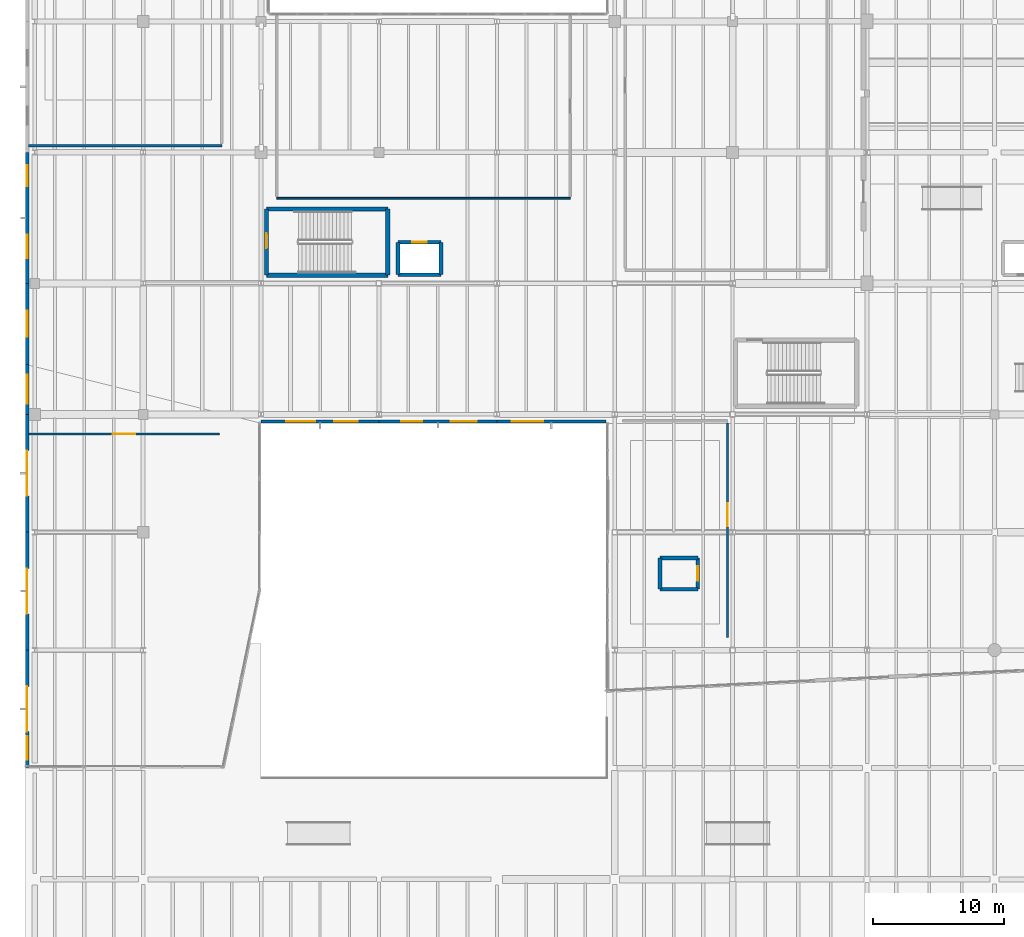
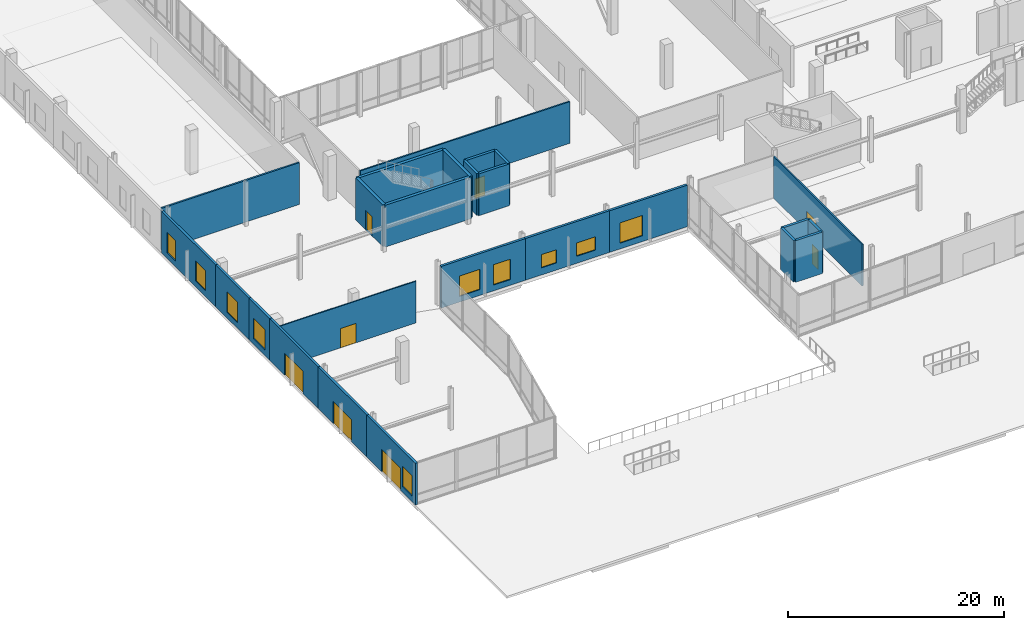
# One storey, part 67 of 88: 25 walls, 10 windows, 8 doors, 18 openings.
"""IFC4 building model written with IfcOpenShell, lengths in metres."""

from ifc_helpers import new_model, si_unit, direction, frame, frame_2d, origin, place, context, subcontext, project, spatial, rectangle, extrude, material, layer, layer_set, type_object, element, fill, save


model = new_model("IFC4")

# Units and contexts
model_context = context("Model", 3, precision=1e-05, world=origin(), true_north=direction((0.0, 1.0)))
body_context = subcontext(model_context, "Body", "Model", "MODEL_VIEW")
ifc_project = project(units=[si_unit("LENGTHUNIT", "METRE"), si_unit("AREAUNIT", "SQUARE_METRE"), si_unit("VOLUMEUNIT", "CUBIC_METRE"), si_unit("PLANEANGLEUNIT", "RADIAN"), si_unit("MASSUNIT", "GRAM", prefix="KILO")], contexts=[model_context])

# Site, building, storey
site_placement = place(None, origin())
site = spatial("IfcSite", under=ifc_project, at=site_placement, CompositionType="ELEMENT")
building_placement = place(site_placement, origin())
building = spatial("IfcBuilding", under=site, at=building_placement, Name="Trimount Lyric Opera House", CompositionType="ELEMENT")
storey_placement = place(building_placement, origin())
storey = spatial("IfcBuildingStorey", under=building, at=storey_placement, Name="L00", CompositionType="ELEMENT", Elevation=0.0)

# Wall, opening, door
ifc_material_1 = material(Name="Gypsum Board Partition")
ifc_layer_1 = layer(ifc_material_1, 0.1201171875)
ifc_layer_set_1 = layer_set([ifc_layer_1], Name="WL-PT120")
wall_type_1 = type_object("IfcWallType", Name="WL-PT120", PredefinedType="PARTITIONING", material=ifc_layer_set_1)
wall_1_placement = place(storey_placement, frame((14.800048828125, 42.5, 0.0), z_axis=(0.0, 0.0, 1.0), x_axis=(-1.0, 0.0, 0.0)))
wall_1 = element("IfcWall", 1, at=wall_1_placement, inside=storey, type_object=wall_type_1, Name="L00 Plaza Espresso & Bookshop N partition", PredefinedType="PARTITIONING", context=body_context, shape_type="SweptSolid", body=[
    extrude(rectangle(XDim=14.550048828125, YDim=0.1201171875, at=frame_2d((7.27490234375, 0.0))), origin(), (0.0, 0.0, 1.0), 4.719970703125),
])
opening_1_placement = place(wall_1_placement, frame((6.425048828125, 0.0, 0.0)))
opening_1 = element("IfcOpeningElement", 2, at=opening_1_placement, cuts=wall_1, Name="Opening DT-COR2", PredefinedType="OPENING", context=body_context, shape_type="SweptSolid", body=[
    extrude(rectangle(XDim=1.699951171875, YDim=2.199951171875, at=frame_2d((0.85009765625, 1.10009765625))), frame((0.0, 0.070068359375, 0.0), z_axis=(0.0, -1.0, 0.0), x_axis=(1.0, 0.0, 0.0)), (0.0, 0.0, 1.0), 0.14013671875),
])
ifc_material_2 = material(Name="Solid Core White Oak")
door_type_1 = type_object("IfcDoorType", Name="DT-COR2", OperationType="DOUBLE_DOOR_SINGLE_SWING", PredefinedType="DOOR", material=ifc_material_2)
door_1_placement = place(opening_1_placement, origin())
door_1 = element("IfcDoor", 3, at=door_1_placement, inside=storey, type_object=door_type_1, Name="D-180", OperationType="DOUBLE_DOOR_SINGLE_SWING", OverallHeight=2.199951171875, OverallWidth=1.699951171875, PredefinedType="DOOR", context=body_context, shape_type="SweptSolid", body=[
    extrude(rectangle(XDim=1.699951171875, YDim=2.199951171875, at=frame_2d((0.85009765625, 1.10009765625))), frame((0.0, 0.02490234375, 0.0), z_axis=(0.0, -1.0, 0.0), x_axis=(1.0, 0.0, 0.0)), (0.0, 0.0, 1.0), 0.050048828125),
])
fill(opening_1, door_1)

ifc_material_3 = material(Name="Fire-Rated Gypsum Board Partition")
ifc_layer_2 = layer(ifc_material_3, 0.14990234375)
ifc_layer_set_2 = layer_set([ifc_layer_2], Name="WL-PT150")
wall_type_2 = type_object("IfcWallType", Name="WL-PT150", PredefinedType="PARTITIONING", material=ifc_layer_set_2)
wall_2_placement = place(storey_placement, frame((53.60009765625, 26.949951171875, 0.0), z_axis=(0.0, 0.0, 1.0), x_axis=(0.0, 1.0, 0.0)))
wall_2 = element("IfcWall", 4, at=wall_2_placement, inside=storey, type_object=wall_type_2, Name="L00 Box Office & Ticketing Hall E partition", PredefinedType="PARTITIONING", context=body_context, shape_type="SweptSolid", body=[
    extrude(rectangle(XDim=16.400146484375, YDim=0.14990234375, at=frame_2d((8.2001953125, 0.0))), origin(), (0.0, 0.0, 1.0), 4.699951171875),
])
opening_2_placement = place(wall_2_placement, frame((8.52490234375, 0.0, 0.0)))
opening_2 = element("IfcOpeningElement", 5, at=opening_2_placement, cuts=wall_2, Name="Opening DT-COR1", PredefinedType="OPENING", context=body_context, shape_type="SweptSolid", body=[
    extrude(rectangle(XDim=1.75, YDim=2.199951171875, at=frame_2d((0.875, 1.10009765625))), frame((0.0, 0.0849609375, 0.0), z_axis=(0.0, -1.0, 0.0), x_axis=(1.0, 0.0, 0.0)), (0.0, 0.0, 1.0), 0.169921875),
])
ifc_material_4 = material(Name="Fire-Rated Timber Veneer", Category="wood")
door_type_2 = type_object("IfcDoorType", Name="DT-COR1", OperationType="DOUBLE_DOOR_SINGLE_SWING", PredefinedType="DOOR", material=ifc_material_4)
door_2_placement = place(opening_2_placement, origin())
door_2 = element("IfcDoor", 6, at=door_2_placement, inside=storey, type_object=door_type_2, Name="D-181", OperationType="DOUBLE_DOOR_SINGLE_SWING", OverallHeight=2.199951171875, OverallWidth=1.75, PredefinedType="DOOR", context=body_context, shape_type="SweptSolid", body=[
    extrude(rectangle(XDim=1.75, YDim=2.199951171875, at=frame_2d((0.875, 1.10009765625))), frame((0.0, 0.02490234375, 0.0), z_axis=(0.0, -1.0, 0.0), x_axis=(1.0, 0.0, 0.0)), (0.0, 0.0, 1.0), 0.050048828125),
])
fill(opening_2, door_2)

# Walls
wall_3_placement = place(storey_placement, frame((19.199951171875, 60.5, 0.0), z_axis=(0.0, 0.0, 1.0), x_axis=(1.0, 0.0, 0.0)))
element("IfcWall", 7, at=wall_3_placement, inside=storey, type_object=wall_type_2, Name="L00 Principal Soloist Dressing Suites S partition", PredefinedType="PARTITIONING", context=body_context, shape_type="SweptSolid", body=[
    extrude(rectangle(XDim=22.400146484375, YDim=0.14990234375, at=frame_2d((11.2001953125, 0.0))), origin(), (0.0, 0.0, 1.0), 4.719970703125),
])
ifc_material_5 = material(Name="Acoustic Double-Stud Gypsum Board")
ifc_layer_3 = layer(ifc_material_5, 0.179931640625)
ifc_layer_set_3 = layer_set([ifc_layer_3], Name="WL-PT180")
wall_type_3 = type_object("IfcWallType", Name="WL-PT180", PredefinedType="PARTITIONING", material=ifc_layer_set_3)
wall_4_placement = place(storey_placement, frame((0.25, 64.5, 0.0), z_axis=(0.0, 0.0, 1.0), x_axis=(1.0, 0.0, 0.0)))
element("IfcWall", 8, at=wall_4_placement, inside=storey, type_object=wall_type_3, Name="L00 Orchestra Rehearsal Hall S partition", PredefinedType="PARTITIONING", context=body_context, shape_type="SweptSolid", body=[
    extrude(rectangle(XDim=14.75, YDim=0.179931640625, at=frame_2d((7.375, 0.0))), origin(), (0.0, 0.0, 1.0), 4.719970703125),
])
ifc_material_6 = material(Name="Concrete C40/50", Category="concrete")
ifc_layer_4 = layer(ifc_material_6, 0.280029296875)
ifc_layer_set_4 = layer_set([ifc_layer_4], Name="WL-SH280")
wall_type_4 = type_object("IfcWallType", Name="WL-SH280", PredefinedType="SHEAR", material=ifc_layer_set_4)
wall_5_placement = place(storey_placement, frame((28.4599609375, 54.659912109375, 0.0), z_axis=(0.0, 0.0, 1.0), x_axis=(1.0, 0.0, 0.0)))
element("IfcWall", 9, at=wall_5_placement, inside=storey, type_object=wall_type_4, Name="Lift LF-06 L00 south shaft wall", PredefinedType="SHEAR", context=body_context, shape_type="SweptSolid", body=[
    extrude(rectangle(XDim=3.280029296875, YDim=0.280029296875, at=frame_2d((1.64013671875, 0.0))), origin(), (0.0, 0.0, 1.0), 4.719970703125),
])

# Wall, opening, door
wall_6_placement = place(storey_placement, frame((31.739990234375, 57.139892578125, 0.0), z_axis=(0.0, 0.0, 1.0), x_axis=(-1.0, 0.0, 0.0)))
wall_6 = element("IfcWall", 10, at=wall_6_placement, inside=storey, type_object=wall_type_4, Name="Lift LF-06 L00 north shaft wall", PredefinedType="SHEAR", context=body_context, shape_type="SweptSolid", body=[
    extrude(rectangle(XDim=3.280029296875, YDim=0.280029296875, at=frame_2d((1.64013671875, 0.0))), origin(), (0.0, 0.0, 1.0), 4.719970703125),
])
opening_3_placement = place(wall_6_placement, frame((1.090087890625, 0.0, 0.0)))
opening_3 = element("IfcOpeningElement", 11, at=opening_3_placement, cuts=wall_6, Name="Opening DT-LD1", PredefinedType="OPENING", context=body_context, shape_type="SweptSolid", body=[
    extrude(rectangle(XDim=1.10009765625, YDim=2.199951171875, at=frame_2d((0.550048828125, 1.10009765625))), frame((0.0, 0.14990234375, 0.0), z_axis=(0.0, -1.0, 0.0), x_axis=(1.0, 0.0, 0.0)), (0.0, 0.0, 1.0), 0.300048828125),
])
ifc_material_7 = material(Name="Brushed Stainless Steel", Category="steel")
door_type_3 = type_object("IfcDoorType", Name="DT-LD1", OperationType="SLIDING_TO_LEFT", PredefinedType="DOOR", material=ifc_material_7)
door_3_placement = place(opening_3_placement, origin())
door_3 = element("IfcDoor", 12, at=door_3_placement, inside=storey, type_object=door_type_3, Name="D-108", OperationType="SLIDING_TO_LEFT", OverallHeight=2.199951171875, OverallWidth=1.10009765625, PredefinedType="DOOR", context=body_context, shape_type="SweptSolid", body=[
    extrude(rectangle(XDim=1.10009765625, YDim=2.199951171875, at=frame_2d((0.550048828125, 1.10009765625))), frame((0.0, 0.02490234375, 0.0), z_axis=(0.0, -1.0, 0.0), x_axis=(1.0, 0.0, 0.0)), (0.0, 0.0, 1.0), 0.050048828125),
])
fill(opening_3, door_3)

# Walls
for number, where, z_axis, x_axis, name in (
    (13, (28.4599609375, 57.139892578125, 0.0), (0.0, 0.0, 1.0), (0.0, -1.0, 0.0), "Lift LF-06 L00 west shaft wall"),
    (14, (31.739990234375, 54.659912109375, 0.0), (0.0, 0.0, 1.0), (0.0, 1.0, 0.0), "Lift LF-06 L00 east shaft wall"),
):
    element("IfcWall", number, at=place(storey_placement, frame(where, z_axis=z_axis, x_axis=x_axis)), inside=storey, type_object=wall_type_4, Name=name, PredefinedType="SHEAR", context=body_context, shape_type="SweptSolid", body=[
        extrude(rectangle(XDim=2.47998046875, YDim=0.280029296875, at=frame_2d((1.239990234375, 0.0))), origin(), (0.0, 0.0, 1.0), 4.719970703125),
    ])
for number, where, z_axis, x_axis, name in (
    (15, (48.4599609375, 30.659912109375, 0.0), (0.0, 0.0, 1.0), (1.0, 0.0, 0.0), "Lift LF-08 L00 south shaft wall"),
    (16, (51.340087890625, 33.0400390625, 0.0), (0.0, 0.0, 1.0), (-1.0, 0.0, 0.0), "Lift LF-08 L00 north shaft wall"),
):
    element("IfcWall", number, at=place(storey_placement, frame(where, z_axis=z_axis, x_axis=x_axis)), inside=storey, type_object=wall_type_4, Name=name, PredefinedType="SHEAR", context=body_context, shape_type="SweptSolid", body=[
        extrude(rectangle(XDim=2.880126953125, YDim=0.280029296875, at=frame_2d((1.43994140625, 0.0))), origin(), (0.0, 0.0, 1.0), 4.699951171875),
    ])
wall_7_placement = place(storey_placement, frame((48.4599609375, 33.0400390625, 0.0), z_axis=(0.0, 0.0, 1.0), x_axis=(0.0, -1.0, 0.0)))
element("IfcWall", 17, at=wall_7_placement, inside=storey, type_object=wall_type_4, Name="Lift LF-08 L00 west shaft wall", PredefinedType="SHEAR", context=body_context, shape_type="SweptSolid", body=[
    extrude(rectangle(XDim=2.380126953125, YDim=0.280029296875, at=frame_2d((1.18994140625, 0.0))), origin(), (0.0, 0.0, 1.0), 4.699951171875),
])

# Wall, opening, door
wall_8_placement = place(storey_placement, frame((51.340087890625, 30.659912109375, 0.0), z_axis=(0.0, 0.0, 1.0), x_axis=(0.0, 1.0, 0.0)))
wall_8 = element("IfcWall", 18, at=wall_8_placement, inside=storey, type_object=wall_type_4, Name="Lift LF-08 L00 east shaft wall", PredefinedType="SHEAR", context=body_context, shape_type="SweptSolid", body=[
    extrude(rectangle(XDim=2.380126953125, YDim=0.280029296875, at=frame_2d((1.18994140625, 0.0))), origin(), (0.0, 0.0, 1.0), 4.699951171875),
])
opening_4_placement = place(wall_8_placement, frame((0.639892578125, 0.0, 0.0)))
opening_4 = element("IfcOpeningElement", 19, at=opening_4_placement, cuts=wall_8, Name="Opening DT-LD1", PredefinedType="OPENING", context=body_context, shape_type="SweptSolid", body=[
    extrude(rectangle(XDim=1.10009765625, YDim=2.199951171875, at=frame_2d((0.550048828125, 1.10009765625))), frame((0.0, 0.14990234375, 0.0), z_axis=(0.0, -1.0, 0.0), x_axis=(1.0, 0.0, 0.0)), (0.0, 0.0, 1.0), 0.300048828125),
])
door_4_placement = place(opening_4_placement, origin())
door_4 = element("IfcDoor", 20, at=door_4_placement, inside=storey, type_object=door_type_3, Name="D-116", OperationType="SLIDING_TO_LEFT", OverallHeight=2.199951171875, OverallWidth=1.10009765625, PredefinedType="DOOR", context=body_context, shape_type="SweptSolid", body=[
    extrude(rectangle(XDim=1.10009765625, YDim=2.199951171875, at=frame_2d((0.550048828125, 1.10009765625))), frame((0.0, 0.02490234375, 0.0), z_axis=(0.0, -1.0, 0.0), x_axis=(1.0, 0.0, 0.0)), (0.0, 0.0, 1.0), 0.050048828125),
])
fill(opening_4, door_4)

# Walls
ifc_material_8 = material(Name="Concrete C40/50", Category="concrete")
ifc_layer_5 = layer(ifc_material_8, 0.320068359375)
ifc_layer_set_5 = layer_set([ifc_layer_5], Name="WL-SH320")
wall_type_5 = type_object("IfcWallType", Name="WL-SH320", PredefinedType="SHEAR", material=ifc_layer_set_5)
for number, where, z_axis, x_axis, name in (
    (21, (18.425048828125, 54.625, 0.0), (0.0, 0.0, 1.0), (1.0, 0.0, 0.0), "K6 L00 south shaft wall"),
    (22, (27.675048828125, 59.675048828125, 0.0), (0.0, 0.0, 1.0), (-1.0, 0.0, 0.0), "K6 L00 north shaft wall"),
):
    element("IfcWall", number, at=place(storey_placement, frame(where, z_axis=z_axis, x_axis=x_axis)), inside=storey, type_object=wall_type_5, Name=name, PredefinedType="SHEAR", context=body_context, shape_type="SweptSolid", body=[
        extrude(rectangle(XDim=9.25, YDim=0.320068359375, at=frame_2d((4.625, 0.0))), origin(), (0.0, 0.0, 1.0), 4.719970703125),
    ])

# Wall, opening, door
wall_9_placement = place(storey_placement, frame((18.425048828125, 59.675048828125, 0.0), z_axis=(0.0, 0.0, 1.0), x_axis=(0.0, -1.0, 0.0)))
wall_9 = element("IfcWall", 23, at=wall_9_placement, inside=storey, type_object=wall_type_5, Name="K6 L00 west shaft wall", PredefinedType="SHEAR", context=body_context, shape_type="SweptSolid", body=[
    extrude(rectangle(XDim=5.050048828125, YDim=0.320068359375, at=frame_2d((2.52490234375, 0.0))), origin(), (0.0, 0.0, 1.0), 4.719970703125),
])
opening_5_placement = place(wall_9_placement, frame((1.85009765625, 0.0, 0.0)))
opening_5 = element("IfcOpeningElement", 24, at=opening_5_placement, cuts=wall_9, Name="Opening DT-ST1", PredefinedType="OPENING", context=body_context, shape_type="SweptSolid", body=[
    extrude(rectangle(XDim=1.14990234375, YDim=2.199951171875, at=frame_2d((0.574951171875, 1.10009765625))), frame((0.0, 0.169921875, 0.0), z_axis=(0.0, -1.0, 0.0), x_axis=(1.0, 0.0, 0.0)), (0.0, 0.0, 1.0), 0.340087890625),
])
ifc_material_9 = material(Name="Fire-Rated Hollow Steel", Category="steel")
door_type_4 = type_object("IfcDoorType", Name="DT-ST1", OperationType="NOTDEFINED", PredefinedType="DOOR", material=ifc_material_9)
door_5_placement = place(opening_5_placement, origin())
door_5 = element("IfcDoor", 25, at=door_5_placement, inside=storey, type_object=door_type_4, Name="D-046", OperationType="SINGLE_SWING_RIGHT", OverallHeight=2.199951171875, OverallWidth=1.14990234375, PredefinedType="DOOR", context=body_context, shape_type="SweptSolid", body=[
    extrude(rectangle(XDim=1.14990234375, YDim=2.199951171875, at=frame_2d((0.574951171875, 1.10009765625))), frame((0.0, 0.02490234375, 0.0), z_axis=(0.0, -1.0, 0.0), x_axis=(1.0, 0.0, 0.0)), (0.0, 0.0, 1.0), 0.050048828125),
])
fill(opening_5, door_5)

# Wall
wall_10_placement = place(storey_placement, frame((27.675048828125, 54.625, 0.0), z_axis=(0.0, 0.0, 1.0), x_axis=(0.0, 1.0, 0.0)))
element("IfcWall", 26, at=wall_10_placement, inside=storey, type_object=wall_type_5, Name="K6 L00 east shaft wall", PredefinedType="SHEAR", context=body_context, shape_type="SweptSolid", body=[
    extrude(rectangle(XDim=5.050048828125, YDim=0.320068359375, at=frame_2d((2.52490234375, 0.0))), origin(), (0.0, 0.0, 1.0), 4.719970703125),
])

# Wall, openings, door, window
ifc_material_10 = material(Name="Concrete C35/45", Category="concrete")
ifc_layer_6 = layer(ifc_material_10, 0.25)
ifc_layer_set_6 = layer_set([ifc_layer_6], Name="WL-SW250")
wall_type_6 = type_object("IfcWallType", Name="WL-SW250", PredefinedType="SOLIDWALL", material=ifc_layer_set_6)
wall_11_placement = place(storey_placement, frame((0.139892578125, 17.0, 0.0), z_axis=(0.0, 0.0, 1.0), x_axis=(0.0, 1.0, 0.0)))
wall_11 = element("IfcWall", 27, at=wall_11_placement, inside=storey, type_object=wall_type_6, Name="L00 exterior facade wall 094", PredefinedType="SOLIDWALL", context=body_context, shape_type="SweptSolid", body=[
    extrude(rectangle(XDim=9.0, YDim=0.25, at=frame_2d((4.5, 0.0))), origin(), (0.0, 0.0, 1.0), 4.719970703125),
])
opening_6_placement = place(wall_11_placement, frame((0.6201171875, 0.0, 0.64990234375)))
opening_6 = element("IfcOpeningElement", 28, at=opening_6_placement, cuts=wall_11, Name="Opening WT-04", PredefinedType="OPENING", context=body_context, shape_type="SweptSolid", body=[
    extrude(rectangle(XDim=1.800048828125, YDim=2.300048828125, at=frame_2d((0.89990234375, 1.14990234375))), frame((0.0, 0.135009765625, 0.0), z_axis=(0.0, -1.0, 0.0), x_axis=(1.0, 0.0, 0.0)), (0.0, 0.0, 1.0), 0.27001953125),
])
opening_7_placement = place(wall_11_placement, frame((2.77490234375, 0.0, 0.0)))
opening_7 = element("IfcOpeningElement", 29, at=opening_7_placement, cuts=wall_11, Name="Opening DT-EXIT-1", PredefinedType="OPENING", context=body_context, shape_type="SweptSolid", body=[
    extrude(rectangle(XDim=3.449951171875, YDim=2.5, at=frame_2d((1.72509765625, 1.25))), frame((0.0, 0.135009765625, 0.0), z_axis=(0.0, -1.0, 0.0), x_axis=(1.0, 0.0, 0.0)), (0.0, 0.0, 1.0), 0.27001953125),
])
ifc_material_11 = material(Name="Anodised Bronze Glazed Assembly")
door_type_5 = type_object("IfcDoorType", Name="DT-EXIT-1", OperationType="DOUBLE_DOOR_SINGLE_SWING", PredefinedType="DOOR", material=ifc_material_11)
door_6_placement = place(opening_7_placement, origin())
door_6 = element("IfcDoor", 30, at=door_6_placement, inside=storey, type_object=door_type_5, Name="D-142", OperationType="DOUBLE_DOOR_SINGLE_SWING", OverallHeight=2.5, OverallWidth=3.449951171875, PredefinedType="DOOR", context=body_context, shape_type="SweptSolid", body=[
    extrude(rectangle(XDim=3.449951171875, YDim=2.5, at=frame_2d((1.72509765625, 1.25))), frame((0.0, 0.02490234375, 0.0), z_axis=(0.0, -1.0, 0.0), x_axis=(1.0, 0.0, 0.0)), (0.0, 0.0, 1.0), 0.050048828125),
])
fill(opening_7, door_6)
ifc_material_12 = material(Name="Triple Acoustic Glazing in Aluminium Frame", Category="aluminium")
window_type_1 = type_object("IfcWindowType", Name="WT-04", PartitioningType="DOUBLE_PANEL_VERTICAL", PredefinedType="WINDOW", material=ifc_material_12)
window_1_placement = place(opening_6_placement, origin())
window_1 = element("IfcWindow", 31, at=window_1_placement, inside=storey, type_object=window_type_1, Name="Window WT-04-0001", OverallHeight=2.300048828125, OverallWidth=1.800048828125, PartitioningType="SINGLE_PANEL", PredefinedType="WINDOW", context=body_context, shape_type="SweptSolid", body=[
    extrude(rectangle(XDim=1.800048828125, YDim=2.300048828125, at=frame_2d((0.89990234375, 1.14990234375))), frame((0.0, 0.030029296875, 0.0), z_axis=(0.0, -1.0, 0.0), x_axis=(1.0, 0.0, 0.0)), (0.0, 0.0, 1.0), 0.06005859375),
])
fill(opening_6, window_1)

# Wall, opening, door
wall_12_placement = place(storey_placement, frame((0.139892578125, 26.0, 0.0), z_axis=(0.0, 0.0, 1.0), x_axis=(0.0, 1.0, 0.0)))
wall_12 = element("IfcWall", 32, at=wall_12_placement, inside=storey, type_object=wall_type_6, Name="L00 exterior facade wall 095", PredefinedType="SOLIDWALL", context=body_context, shape_type="SweptSolid", body=[
    extrude(rectangle(XDim=9.0, YDim=0.25, at=frame_2d((4.5, 0.0))), origin(), (0.0, 0.0, 1.0), 4.719970703125),
])
opening_8_placement = place(wall_12_placement, frame((2.77490234375, 0.0, 0.0)))
opening_8 = element("IfcOpeningElement", 33, at=opening_8_placement, cuts=wall_12, Name="Opening DT-EXIT-1", PredefinedType="OPENING", context=body_context, shape_type="SweptSolid", body=[
    extrude(rectangle(XDim=3.449951171875, YDim=2.5, at=frame_2d((1.72509765625, 1.25))), frame((0.0, 0.135009765625, 0.0), z_axis=(0.0, -1.0, 0.0), x_axis=(1.0, 0.0, 0.0)), (0.0, 0.0, 1.0), 0.27001953125),
])
door_7_placement = place(opening_8_placement, origin())
door_7 = element("IfcDoor", 34, at=door_7_placement, inside=storey, type_object=door_type_5, Name="D-143", OperationType="DOUBLE_DOOR_SINGLE_SWING", OverallHeight=2.5, OverallWidth=3.449951171875, PredefinedType="DOOR", context=body_context, shape_type="SweptSolid", body=[
    extrude(rectangle(XDim=3.449951171875, YDim=2.5, at=frame_2d((1.72509765625, 1.25))), frame((0.0, 0.02490234375, 0.0), z_axis=(0.0, -1.0, 0.0), x_axis=(1.0, 0.0, 0.0)), (0.0, 0.0, 1.0), 0.050048828125),
])
fill(opening_8, door_7)

wall_13_placement = place(storey_placement, frame((0.139892578125, 35.0, 0.0), z_axis=(0.0, 0.0, 1.0), x_axis=(0.0, 1.0, 0.0)))
wall_13 = element("IfcWall", 35, at=wall_13_placement, inside=storey, type_object=wall_type_6, Name="L00 exterior facade wall 096", PredefinedType="SOLIDWALL", context=body_context, shape_type="SweptSolid", body=[
    extrude(rectangle(XDim=9.0, YDim=0.25, at=frame_2d((4.5, 0.0))), origin(), (0.0, 0.0, 1.0), 4.719970703125),
])
opening_9_placement = place(wall_13_placement, frame((2.77490234375, 0.0, 0.0)))
opening_9 = element("IfcOpeningElement", 36, at=opening_9_placement, cuts=wall_13, Name="Opening DT-EXIT-1", PredefinedType="OPENING", context=body_context, shape_type="SweptSolid", body=[
    extrude(rectangle(XDim=3.449951171875, YDim=2.5, at=frame_2d((1.72509765625, 1.25))), frame((0.0, 0.135009765625, 0.0), z_axis=(0.0, -1.0, 0.0), x_axis=(1.0, 0.0, 0.0)), (0.0, 0.0, 1.0), 0.27001953125),
])
door_8_placement = place(opening_9_placement, origin())
door_8 = element("IfcDoor", 37, at=door_8_placement, inside=storey, type_object=door_type_5, Name="D-144", OperationType="DOUBLE_DOOR_SINGLE_SWING", OverallHeight=2.5, OverallWidth=3.449951171875, PredefinedType="DOOR", context=body_context, shape_type="SweptSolid", body=[
    extrude(rectangle(XDim=3.449951171875, YDim=2.5, at=frame_2d((1.72509765625, 1.25))), frame((0.0, 0.02490234375, 0.0), z_axis=(0.0, -1.0, 0.0), x_axis=(1.0, 0.0, 0.0)), (0.0, 0.0, 1.0), 0.050048828125),
])
fill(opening_9, door_8)

# Wall, opening, window
wall_14_placement = place(storey_placement, frame((0.139892578125, 44.0, 0.0), z_axis=(0.0, 0.0, 1.0), x_axis=(0.0, 1.0, 0.0)))
wall_14 = element("IfcWall", 38, at=wall_14_placement, inside=storey, type_object=wall_type_6, Name="L00 exterior facade wall 097", PredefinedType="SOLIDWALL", context=body_context, shape_type="SweptSolid", body=[
    extrude(rectangle(XDim=3.820068359375, YDim=0.25, at=frame_2d((1.91015625, 0.0))), origin(), (0.0, 0.0, 1.0), 4.719970703125),
])
opening_10_placement = place(wall_14_placement, frame((0.81005859375, 0.0, 0.64990234375)))
opening_10 = element("IfcOpeningElement", 39, at=opening_10_placement, cuts=wall_14, Name="Opening WT-02", PredefinedType="OPENING", context=body_context, shape_type="SweptSolid", body=[
    extrude(rectangle(XDim=2.199951171875, YDim=2.300048828125, at=frame_2d((1.10009765625, 1.14990234375))), frame((0.0, 0.135009765625, 0.0), z_axis=(0.0, -1.0, 0.0), x_axis=(1.0, 0.0, 0.0)), (0.0, 0.0, 1.0), 0.27001953125),
])
ifc_material_13 = material(Name="Triple Acoustic Glazing in Aluminium Frame", Category="aluminium")
window_type_2 = type_object("IfcWindowType", Name="WT-02", PartitioningType="DOUBLE_PANEL_VERTICAL", PredefinedType="WINDOW", material=ifc_material_13)
window_2_placement = place(opening_10_placement, origin())
window_2 = element("IfcWindow", 40, at=window_2_placement, inside=storey, type_object=window_type_2, Name="Window WT-02-0002", OverallHeight=2.300048828125, OverallWidth=2.199951171875, PartitioningType="SINGLE_PANEL", PredefinedType="WINDOW", context=body_context, shape_type="SweptSolid", body=[
    extrude(rectangle(XDim=2.199951171875, YDim=2.300048828125, at=frame_2d((1.10009765625, 1.14990234375))), frame((0.0, 0.030029296875, 0.0), z_axis=(0.0, -1.0, 0.0), x_axis=(1.0, 0.0, 0.0)), (0.0, 0.0, 1.0), 0.06005859375),
])
fill(opening_10, window_2)

wall_15_placement = place(storey_placement, frame((0.139892578125, 47.820068359375, 0.0), z_axis=(0.0, 0.0, 1.0), x_axis=(0.0, 1.0, 0.0)))
wall_15 = element("IfcWall", 41, at=wall_15_placement, inside=storey, type_object=wall_type_6, Name="L00 exterior facade wall 098", PredefinedType="SOLIDWALL", context=body_context, shape_type="SweptSolid", body=[
    extrude(rectangle(XDim=6.179931640625, YDim=0.25, at=frame_2d((3.08984375, 0.0))), origin(), (0.0, 0.0, 1.0), 4.719970703125),
])
opening_11_placement = place(wall_15_placement, frame((2.090087890625, 0.0, 0.64990234375)))
opening_11 = element("IfcOpeningElement", 42, at=opening_11_placement, cuts=wall_15, Name="Opening WT-03", PredefinedType="OPENING", context=body_context, shape_type="SweptSolid", body=[
    extrude(rectangle(XDim=2.0, YDim=2.300048828125, at=frame_2d((1.0, 1.14990234375))), frame((0.0, 0.135009765625, 0.0), z_axis=(0.0, -1.0, 0.0), x_axis=(1.0, 0.0, 0.0)), (0.0, 0.0, 1.0), 0.27001953125),
])
ifc_material_14 = material(Name="Triple Acoustic Glazing in Aluminium Frame", Category="aluminium")
window_type_3 = type_object("IfcWindowType", Name="WT-03", PartitioningType="DOUBLE_PANEL_VERTICAL", PredefinedType="WINDOW", material=ifc_material_14)
window_3_placement = place(opening_11_placement, origin())
window_3 = element("IfcWindow", 43, at=window_3_placement, inside=storey, type_object=window_type_3, Name="Window WT-03-0003", OverallHeight=2.300048828125, OverallWidth=2.0, PartitioningType="SINGLE_PANEL", PredefinedType="WINDOW", context=body_context, shape_type="SweptSolid", body=[
    extrude(rectangle(XDim=2.0, YDim=2.300048828125, at=frame_2d((1.0, 1.14990234375))), frame((0.0, 0.030029296875, 0.0), z_axis=(0.0, -1.0, 0.0), x_axis=(1.0, 0.0, 0.0)), (0.0, 0.0, 1.0), 0.06005859375),
])
fill(opening_11, window_3)

# Wall, openings, windows
wall_16_placement = place(storey_placement, frame((0.139892578125, 54.0, 0.0), z_axis=(0.0, 0.0, 1.0), x_axis=(0.0, 1.0, 0.0)))
wall_16 = element("IfcWall", 44, at=wall_16_placement, inside=storey, type_object=wall_type_6, Name="L00 exterior facade wall 099", PredefinedType="SOLIDWALL", context=body_context, shape_type="SweptSolid", body=[
    extrude(rectangle(XDim=10.0, YDim=0.25, at=frame_2d((5.0, 0.0))), origin(), (0.0, 0.0, 1.0), 4.719970703125),
])
opening_12_placement = place(wall_16_placement, frame((1.89990234375, 0.0, 0.64990234375)))
opening_12 = element("IfcOpeningElement", 45, at=opening_12_placement, cuts=wall_16, Name="Opening WT-04", PredefinedType="OPENING", context=body_context, shape_type="SweptSolid", body=[
    extrude(rectangle(XDim=1.800048828125, YDim=2.300048828125, at=frame_2d((0.89990234375, 1.14990234375))), frame((0.0, 0.135009765625, 0.0), z_axis=(0.0, -1.0, 0.0), x_axis=(1.0, 0.0, 0.0)), (0.0, 0.0, 1.0), 0.27001953125),
])
opening_13_placement = place(wall_16_placement, frame((7.39990234375, 0.0, 0.64990234375)))
opening_13 = element("IfcOpeningElement", 46, at=opening_13_placement, cuts=wall_16, Name="Opening WT-05", PredefinedType="OPENING", context=body_context, shape_type="SweptSolid", body=[
    extrude(rectangle(XDim=1.60009765625, YDim=2.300048828125, at=frame_2d((0.800048828125, 1.14990234375))), frame((0.0, 0.135009765625, 0.0), z_axis=(0.0, -1.0, 0.0), x_axis=(1.0, 0.0, 0.0)), (0.0, 0.0, 1.0), 0.27001953125),
])
window_4_placement = place(opening_12_placement, origin())
window_4 = element("IfcWindow", 47, at=window_4_placement, inside=storey, type_object=window_type_1, Name="Window WT-04-0004", OverallHeight=2.300048828125, OverallWidth=1.800048828125, PartitioningType="SINGLE_PANEL", PredefinedType="WINDOW", context=body_context, shape_type="SweptSolid", body=[
    extrude(rectangle(XDim=1.800048828125, YDim=2.300048828125, at=frame_2d((0.89990234375, 1.14990234375))), frame((0.0, 0.030029296875, 0.0), z_axis=(0.0, -1.0, 0.0), x_axis=(1.0, 0.0, 0.0)), (0.0, 0.0, 1.0), 0.06005859375),
])
fill(opening_12, window_4)
ifc_material_15 = material(Name="Triple Acoustic Glazing in Aluminium Frame", Category="aluminium")
window_type_4 = type_object("IfcWindowType", Name="WT-05", PartitioningType="SINGLE_PANEL", PredefinedType="WINDOW", material=ifc_material_15)
window_5_placement = place(opening_13_placement, origin())
window_5 = element("IfcWindow", 48, at=window_5_placement, inside=storey, type_object=window_type_4, Name="Window WT-05-0005", OverallHeight=2.300048828125, OverallWidth=1.60009765625, PartitioningType="SINGLE_PANEL", PredefinedType="WINDOW", context=body_context, shape_type="SweptSolid", body=[
    extrude(rectangle(XDim=1.60009765625, YDim=2.300048828125, at=frame_2d((0.800048828125, 1.14990234375))), frame((0.0, 0.030029296875, 0.0), z_axis=(0.0, -1.0, 0.0), x_axis=(1.0, 0.0, 0.0)), (0.0, 0.0, 1.0), 0.06005859375),
])
fill(opening_13, window_5)

# Wall, opening, window
wall_17_placement = place(storey_placement, frame((44.320068359375, 43.4599609375, 0.0), z_axis=(0.0, 0.0, 1.0), x_axis=(-1.0, 0.0, 0.0)))
wall_17 = element("IfcWall", 49, at=wall_17_placement, inside=storey, type_object=wall_type_6, Name="L00 exterior facade wall 146", PredefinedType="SOLIDWALL", context=body_context, shape_type="SweptSolid", body=[
    extrude(rectangle(XDim=8.320068359375, YDim=0.25, at=frame_2d((4.16015625, 0.0))), origin(), (0.0, 0.0, 1.0), 4.699951171875),
])
opening_14_placement = place(wall_17_placement, frame((4.790283203125, 0.0, 0.64990234375)))
opening_14 = element("IfcOpeningElement", 50, at=opening_14_placement, cuts=wall_17, Name="Opening WT-01", PredefinedType="OPENING", context=body_context, shape_type="SweptSolid", body=[
    extrude(rectangle(XDim=2.39990234375, YDim=2.300048828125, at=frame_2d((1.199951171875, 1.14990234375))), frame((0.0, 0.135009765625, 0.0), z_axis=(0.0, -1.0, 0.0), x_axis=(1.0, 0.0, 0.0)), (0.0, 0.0, 1.0), 0.27001953125),
])
ifc_material_16 = material(Name="Triple Acoustic Glazing in Aluminium Frame", Category="aluminium")
window_type_5 = type_object("IfcWindowType", Name="WT-01", PartitioningType="DOUBLE_PANEL_VERTICAL", PredefinedType="WINDOW", material=ifc_material_16)
window_6_placement = place(opening_14_placement, origin())
window_6 = element("IfcWindow", 51, at=window_6_placement, inside=storey, type_object=window_type_5, Name="Window WT-01-0050", OverallHeight=2.300048828125, OverallWidth=2.39990234375, PartitioningType="SINGLE_PANEL", PredefinedType="WINDOW", context=body_context, shape_type="SweptSolid", body=[
    extrude(rectangle(XDim=2.39990234375, YDim=2.300048828125, at=frame_2d((1.199951171875, 1.14990234375))), frame((0.0, 0.030029296875, 0.0), z_axis=(0.0, -1.0, 0.0), x_axis=(1.0, 0.0, 0.0)), (0.0, 0.0, 1.0), 0.06005859375),
])
fill(opening_14, window_6)

# Wall, openings, windows
wall_18_placement = place(storey_placement, frame((36.0, 43.4599609375, 0.0), z_axis=(0.0, 0.0, 1.0), x_axis=(-1.0, 0.0, 0.0)))
wall_18 = element("IfcWall", 52, at=wall_18_placement, inside=storey, type_object=wall_type_6, Name="L00 exterior facade wall 147", PredefinedType="SOLIDWALL", context=body_context, shape_type="SweptSolid", body=[
    extrude(rectangle(XDim=9.0, YDim=0.25, at=frame_2d((4.5, 0.0))), origin(), (0.0, 0.0, 1.0), 4.719970703125),
])
opening_15_placement = place(wall_18_placement, frame((1.52001953125, 0.0, 0.800048828125)))
opening_15 = element("IfcOpeningElement", 53, at=opening_15_placement, cuts=wall_18, Name="Opening WT-25", PredefinedType="OPENING", context=body_context, shape_type="SweptSolid", body=[
    extrude(rectangle(XDim=2.0, YDim=1.5, at=frame_2d((1.0, 0.75))), frame((0.0, 0.135009765625, 0.0), z_axis=(0.0, -1.0, 0.0), x_axis=(1.0, 0.0, 0.0)), (0.0, 0.0, 1.0), 0.27001953125),
])
opening_16_placement = place(wall_18_placement, frame((5.679931640625, 0.0, 0.800048828125)))
opening_16 = element("IfcOpeningElement", 54, at=opening_16_placement, cuts=wall_18, Name="Opening WT-26", PredefinedType="OPENING", context=body_context, shape_type="SweptSolid", body=[
    extrude(rectangle(XDim=1.60009765625, YDim=1.5, at=frame_2d((0.800048828125, 0.75))), frame((0.0, 0.135009765625, 0.0), z_axis=(0.0, -1.0, 0.0), x_axis=(1.0, 0.0, 0.0)), (0.0, 0.0, 1.0), 0.27001953125),
])
ifc_material_17 = material(Name="Clerestory Ribbon Glazing", Category="glass")
window_type_6 = type_object("IfcWindowType", Name="WT-25", PartitioningType="DOUBLE_PANEL_HORIZONTAL", PredefinedType="WINDOW", material=ifc_material_17)
window_7_placement = place(opening_15_placement, origin())
window_7 = element("IfcWindow", 55, at=window_7_placement, inside=storey, type_object=window_type_6, Name="Window WT-25-0051", OverallHeight=1.5, OverallWidth=2.0, PartitioningType="SINGLE_PANEL", PredefinedType="WINDOW", context=body_context, shape_type="SweptSolid", body=[
    extrude(rectangle(XDim=2.0, YDim=1.5, at=frame_2d((1.0, 0.75))), frame((0.0, 0.030029296875, 0.0), z_axis=(0.0, -1.0, 0.0), x_axis=(1.0, 0.0, 0.0)), (0.0, 0.0, 1.0), 0.06005859375),
])
fill(opening_15, window_7)
ifc_material_18 = material(Name="Clerestory Ribbon Glazing", Category="glass")
window_type_7 = type_object("IfcWindowType", Name="WT-26", PartitioningType="SINGLE_PANEL", PredefinedType="WINDOW", material=ifc_material_18)
window_8_placement = place(opening_16_placement, origin())
window_8 = element("IfcWindow", 56, at=window_8_placement, inside=storey, type_object=window_type_7, Name="Window WT-26-0052", OverallHeight=1.5, OverallWidth=1.60009765625, PartitioningType="SINGLE_PANEL", PredefinedType="WINDOW", context=body_context, shape_type="SweptSolid", body=[
    extrude(rectangle(XDim=1.60009765625, YDim=1.5, at=frame_2d((0.800048828125, 0.75))), frame((0.0, 0.030029296875, 0.0), z_axis=(0.0, -1.0, 0.0), x_axis=(1.0, 0.0, 0.0)), (0.0, 0.0, 1.0), 0.06005859375),
])
fill(opening_16, window_8)

wall_19_placement = place(storey_placement, frame((27.0, 43.4599609375, 0.0), z_axis=(0.0, 0.0, 1.0), x_axis=(-1.0, 0.0, 0.0)))
wall_19 = element("IfcWall", 57, at=wall_19_placement, inside=storey, type_object=wall_type_6, Name="L00 exterior facade wall 148", PredefinedType="SOLIDWALL", context=body_context, shape_type="SweptSolid", body=[
    extrude(rectangle(XDim=9.0, YDim=0.25, at=frame_2d((4.5, 0.0))), origin(), (0.0, 0.0, 1.0), 4.719970703125),
])
opening_17_placement = place(wall_19_placement, frame((1.6201171875, 0.0, 0.64990234375)))
opening_17 = element("IfcOpeningElement", 58, at=opening_17_placement, cuts=wall_19, Name="Opening WT-04", PredefinedType="OPENING", context=body_context, shape_type="SweptSolid", body=[
    extrude(rectangle(XDim=1.800048828125, YDim=2.300048828125, at=frame_2d((0.89990234375, 1.14990234375))), frame((0.0, 0.135009765625, 0.0), z_axis=(0.0, -1.0, 0.0), x_axis=(1.0, 0.0, 0.0)), (0.0, 0.0, 1.0), 0.27001953125),
])
opening_18_placement = place(wall_19_placement, frame((4.8798828125, 0.0, 0.64990234375)))
opening_18 = element("IfcOpeningElement", 59, at=opening_18_placement, cuts=wall_19, Name="Opening WT-02", PredefinedType="OPENING", context=body_context, shape_type="SweptSolid", body=[
    extrude(rectangle(XDim=2.199951171875, YDim=2.300048828125, at=frame_2d((1.10009765625, 1.14990234375))), frame((0.0, 0.135009765625, 0.0), z_axis=(0.0, -1.0, 0.0), x_axis=(1.0, 0.0, 0.0)), (0.0, 0.0, 1.0), 0.27001953125),
])
window_9_placement = place(opening_18_placement, origin())
window_9 = element("IfcWindow", 60, at=window_9_placement, inside=storey, type_object=window_type_2, Name="Window WT-02-0054", OverallHeight=2.300048828125, OverallWidth=2.199951171875, PartitioningType="SINGLE_PANEL", PredefinedType="WINDOW", context=body_context, shape_type="SweptSolid", body=[
    extrude(rectangle(XDim=2.199951171875, YDim=2.300048828125, at=frame_2d((1.10009765625, 1.14990234375))), frame((0.0, 0.030029296875, 0.0), z_axis=(0.0, -1.0, 0.0), x_axis=(1.0, 0.0, 0.0)), (0.0, 0.0, 1.0), 0.06005859375),
])
fill(opening_18, window_9)
window_10_placement = place(opening_17_placement, origin())
window_10 = element("IfcWindow", 61, at=window_10_placement, inside=storey, type_object=window_type_1, Name="Window WT-04-0053", OverallHeight=2.300048828125, OverallWidth=1.800048828125, PartitioningType="SINGLE_PANEL", PredefinedType="WINDOW", context=body_context, shape_type="SweptSolid", body=[
    extrude(rectangle(XDim=1.800048828125, YDim=2.300048828125, at=frame_2d((0.89990234375, 1.14990234375))), frame((0.0, 0.030029296875, 0.0), z_axis=(0.0, -1.0, 0.0), x_axis=(1.0, 0.0, 0.0)), (0.0, 0.0, 1.0), 0.06005859375),
])
fill(opening_17, window_10)

save(model, "model.ifc")
